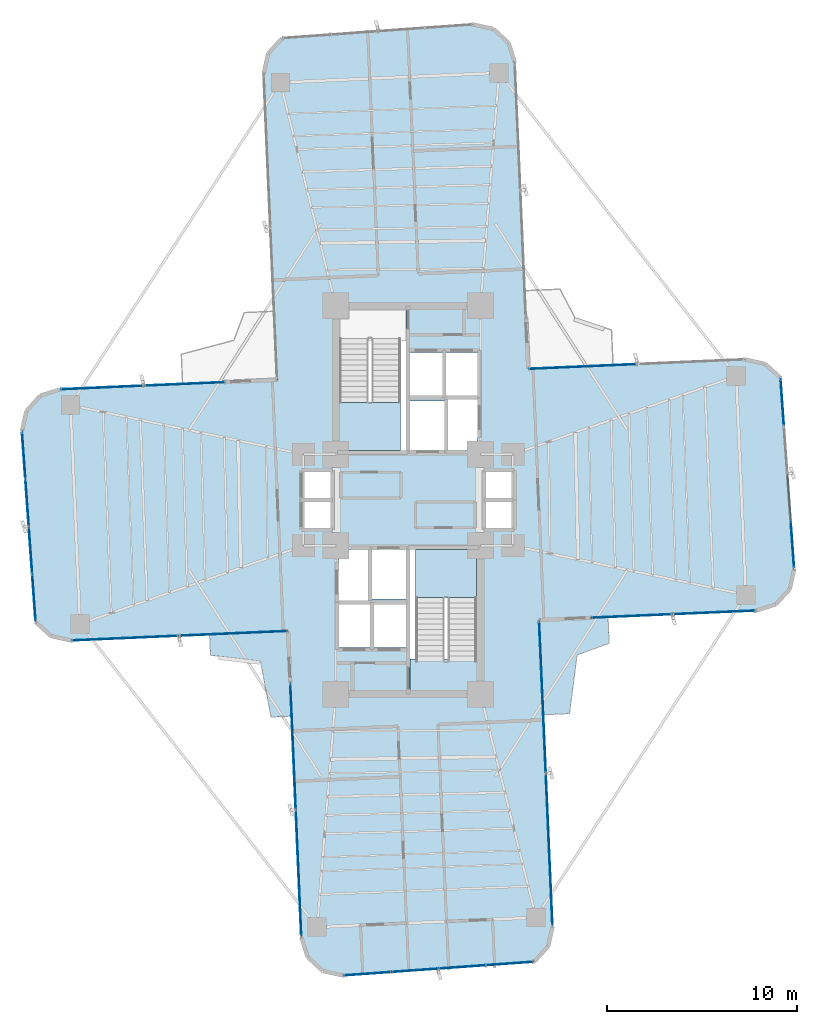
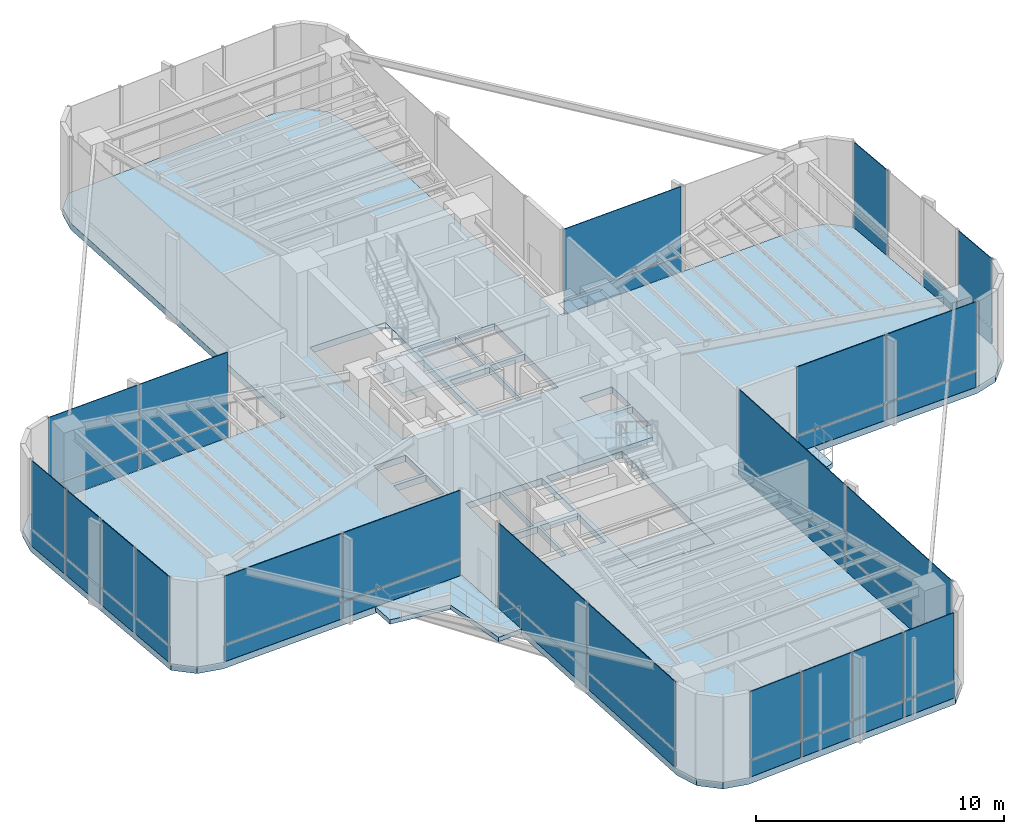
# One storey, part 15 of 21: 43 plates, 6 slabs, 11 elements without a shape of their own.
"""IFC4 building model written with IfcOpenShell, lengths in metres."""

from ifc_helpers import new_model, si_unit, direction, frame, origin, origin_2d, place, context, subcontext, project, spatial, polyline, rectangle, outline, extrude, source, transform, mapped, material, layer, layer_set, type_object, element, aggregate, save


model = new_model("IFC4")

# Units and contexts
model_context = context("Model", 3, precision=1e-05, world=origin(), true_north=direction((0.0, 1.0)))
body_context = subcontext(model_context, "Body", "Model", "MODEL_VIEW")
ifc_project = project(units=[si_unit("LENGTHUNIT", "METRE"), si_unit("AREAUNIT", "SQUARE_METRE"), si_unit("VOLUMEUNIT", "CUBIC_METRE"), si_unit("PLANEANGLEUNIT", "RADIAN"), si_unit("MASSUNIT", "GRAM", prefix="KILO")], contexts=[model_context])

# Site, building, storey
site_placement = place(None, origin())
site = spatial("IfcSite", under=ifc_project, at=site_placement, CompositionType="ELEMENT")
building_placement = place(site_placement, origin())
building = spatial("IfcBuilding", under=site, at=building_placement, Name="Sahyath Konkavel Grand Hotel", CompositionType="ELEMENT")
storey_placement = place(building_placement, frame((0.0, 0.0, 79.0)))
storey = spatial("IfcBuildingStorey", under=building, at=storey_placement, Name="L21", CompositionType="ELEMENT", Elevation=79.0)

# Slabs
ifc_material_1 = material(Name="Concrete C50/60", Category="concrete")
ifc_layer_1 = layer(ifc_material_1, 0.320068359375)
ifc_layer_set_1 = layer_set([ifc_layer_1], Name="Concrete C50/60")
slab_type_1 = type_object("IfcSlabType", Name="SLB-320", PredefinedType="FLOOR", material=ifc_layer_set_1)
slab_1_placement = place(storey_placement, frame((0.0, 0.0, -0.320068359375)))
element("IfcSlab", 1, at=slab_1_placement, inside=storey, type_object=slab_type_1, Name="L21 Structural Floor Slab", PredefinedType="FLOOR", context=body_context, shape_type="SweptSolid", body=[
    extrude(outline(polyline([(6.881591796875, -6.305908203125), (18.270751953125, -5.80859375), (19.3076171875, -5.481689453125), (20.0419921875, -4.68017578125), (20.277099609375, -3.618896484375), (19.5576171875, 6.4091796875), (18.75634765625, 7.1435546875), (17.695068359375, 7.37890625), (6.305908203125, 6.881591796875), (5.603515625, 22.96630859375), (5.276611328125, 24.0029296875), (4.47509765625, 24.7373046875), (3.4140625, 24.97265625), (-6.6142578125, 24.253173828125), (-7.3486328125, 23.451904296875), (-7.583984375, 22.390380859375), (-6.881591796875, 6.305908203125), (-18.270751953125, 5.80859375), (-19.3076171875, 5.481689453125), (-20.0419921875, 4.68017578125), (-20.277099609375, 3.618896484375), (-19.5576171875, -6.4091796875), (-18.75634765625, -7.1435546875), (-17.695068359375, -7.37890625), (-6.305908203125, -6.881591796875), (-5.603515625, -22.96630859375), (-5.276611328125, -24.0029296875), (-4.47509765625, -24.7373046875), (-3.4140625, -24.97265625), (6.6142578125, -24.253173828125), (7.3486328125, -23.451904296875), (7.583984375, -22.390380859375), (6.881591796875, -6.305908203125)]), holes=[polyline([(-3.6201171875, 2.580078125), (-0.10009765625, 2.580078125), (-0.10009765625, 10.02001953125), (-3.6201171875, 10.02001953125), (-3.6201171875, 2.580078125)]), polyline([(0.10009765625, -10.02001953125), (3.6201171875, -10.02001953125), (3.6201171875, -2.580078125), (0.10009765625, -2.580078125), (0.10009765625, -10.02001953125)]), polyline([(0.10009765625, 2.60009765625), (1.949951171875, 2.60009765625), (1.949951171875, 5.199951171875), (0.10009765625, 5.199951171875), (0.10009765625, 2.60009765625)]), polyline([(-1.949951171875, -5.199951171875), (-0.10009765625, -5.199951171875), (-0.10009765625, -2.60009765625), (-1.949951171875, -2.60009765625), (-1.949951171875, -5.199951171875)]), polyline([(2.050048828125, 2.60009765625), (3.64990234375, 2.60009765625), (3.64990234375, 5.300048828125), (2.050048828125, 5.300048828125), (2.050048828125, 2.60009765625)]), polyline([(-3.64990234375, -5.300048828125), (-2.050048828125, -5.300048828125), (-2.050048828125, -2.60009765625), (-3.64990234375, -2.60009765625), (-3.64990234375, -5.300048828125)]), polyline([(0.10009765625, 5.449951171875), (1.85009765625, 5.449951171875), (1.85009765625, 7.75), (0.10009765625, 7.75), (0.10009765625, 5.449951171875)]), polyline([(1.949951171875, 5.449951171875), (3.64990234375, 5.449951171875), (3.64990234375, 7.75), (1.949951171875, 7.75), (1.949951171875, 5.449951171875)]), polyline([(-3.64990234375, -7.75), (-1.949951171875, -7.75), (-1.949951171875, -5.449951171875), (-3.64990234375, -5.449951171875), (-3.64990234375, -7.75)]), polyline([(-1.85009765625, -7.75), (-0.10009765625, -7.75), (-0.10009765625, -5.449951171875), (-1.85009765625, -5.449951171875), (-1.85009765625, -7.75)]), polyline([(4.050048828125, 0.080078125), (5.550048828125, 0.080078125), (5.550048828125, 1.5400390625), (4.050048828125, 1.5400390625), (4.050048828125, 0.080078125)]), polyline([(4.050048828125, -1.5400390625), (5.550048828125, -1.5400390625), (5.550048828125, -0.080078125), (4.050048828125, -0.080078125), (4.050048828125, -1.5400390625)]), polyline([(-5.550048828125, 0.080078125), (-4.050048828125, 0.080078125), (-4.050048828125, 1.5400390625), (-5.550048828125, 1.5400390625), (-5.550048828125, 0.080078125)]), polyline([(-5.550048828125, -1.5400390625), (-4.050048828125, -1.5400390625), (-4.050048828125, -0.080078125), (-5.550048828125, -0.080078125), (-5.550048828125, -1.5400390625)])]), origin(), (0.0, 0.0, 1.0), 0.320068359375),
])
ifc_material_2 = material(Name="Concrete C40/50", Category="concrete")
ifc_layer_2 = layer(ifc_material_2, 0.219970703125)
ifc_layer_set_2 = layer_set([ifc_layer_2], Name="Concrete C40/50")
slab_type_2 = type_object("IfcSlabType", Name="SLB-BALCONY-220", PredefinedType="FLOOR", material=ifc_layer_set_2)
slab_2_placement = place(storey_placement, frame((0.0, 0.0, -0.219970703125)))
element("IfcSlab", 2, at=slab_2_placement, inside=storey, type_object=slab_type_2, Name="L21 Winter-Garden Balcony SW", PredefinedType="FLOOR", context=body_context, shape_type="SweptSolid", body=[
    extrude(outline(polyline([(-6.305908203125, -6.881591796875), (-10.427978515625, -7.0615234375), (-10.38037109375, -8.15283203125), (-7.755126953125, -8.46337890625), (-7.201904296875, -11.39892578125), (-6.110595703125, -11.351318359375), (-6.305908203125, -6.881591796875)])), origin(), (0.0, 0.0, 1.0), 0.219970703125),
])
slab_3_placement = place(storey_placement, frame((0.0, 0.0, -0.219970703125)))
element("IfcSlab", 3, at=slab_3_placement, inside=storey, type_object=slab_type_2, Name="L21 Winter-Garden Balcony SE", PredefinedType="FLOOR", context=body_context, shape_type="SweptSolid", body=[
    extrude(outline(polyline([(6.881591796875, -6.305908203125), (7.0986328125, -11.279052734375), (8.474853515625, -11.218994140625), (8.876220703125, -8.133544921875), (10.560302734375, -7.52392578125), (10.500244140625, -6.147705078125), (6.881591796875, -6.305908203125)])), origin(), (0.0, 0.0, 1.0), 0.219970703125),
])

# Stair, slab
stair_type = type_object("IfcStairType", Name="STR-ST16-450", PredefinedType="HALF_TURN_STAIR", material=ifc_material_2)
stair_1_placement = place(storey_placement, origin())
stair_1 = element("IfcStair", 4, at=stair_1_placement, inside=storey, type_object=stair_type, Name="L21 North Core Smokeproof Exit Stair ST-1", PredefinedType="HALF_TURN_STAIR")
ifc_layer_3 = layer(ifc_material_2, 0.199951171875)
ifc_layer_set_3 = layer_set([ifc_layer_3], Name="Concrete C40/50")
slab_type_3 = type_object("IfcSlabType", Name="SLB-STAIR-LND", PredefinedType="LANDING", material=ifc_layer_set_3)
slab_4_placement = place(storey_placement, frame((0.0, 0.0, 2.050048828125)))
slab_4 = element("IfcSlab", 5, at=slab_4_placement, type_object=slab_type_3, Name="ST-1 landing 1", PredefinedType="LANDING", context=body_context, shape_type="SweptSolid", body=[
    extrude(outline(polyline([(-3.60009765625, 5.1201171875), (-3.60009765625, 2.60009765625), (-0.39990234375, 2.60009765625), (-0.39990234375, 5.1201171875), (-3.60009765625, 5.1201171875)])), origin(), (0.0, 0.0, 1.0), 0.199951171875),
])
aggregate(stair_1, [slab_4])

stair_2_placement = place(storey_placement, origin())
stair_2 = element("IfcStair", 6, at=stair_2_placement, inside=storey, type_object=stair_type, Name="L21 South Core Smokeproof Exit Stair ST-2", PredefinedType="HALF_TURN_STAIR")
slab_5_placement = place(storey_placement, frame((0.0, 0.0, 2.050048828125)))
slab_5 = element("IfcSlab", 7, at=slab_5_placement, type_object=slab_type_3, Name="ST-2 landing 1", PredefinedType="LANDING", context=body_context, shape_type="SweptSolid", body=[
    extrude(outline(polyline([(3.60009765625, -5.1201171875), (3.60009765625, -2.60009765625), (0.39990234375, -2.60009765625), (0.39990234375, -5.1201171875), (3.60009765625, -5.1201171875)])), origin(), (0.0, 0.0, 1.0), 0.199951171875),
])
aggregate(stair_2, [slab_5])

# Slab
slab_6_placement = place(storey_placement, frame((0.0, 0.0, -0.199951171875)))
element("IfcSlab", 8, at=slab_6_placement, inside=storey, type_object=slab_type_3, Name="L21 Stair ST-2 Floor Landing Slab", PredefinedType="LANDING", context=body_context, shape_type="SweptSolid", body=[
    extrude(outline(polyline([(0.10009765625, -10.02001953125), (3.6201171875, -10.02001953125), (3.6201171875, -8.35009765625), (0.10009765625, -8.35009765625), (0.10009765625, -10.02001953125)])), origin(), (0.0, 0.0, 1.0), 0.199951171875),
])

# Curtain wall, plates
ifc_material_3 = material(Name="Anodised Bronze Aluminium & Low-E Glazing", Category="aluminium")
curtain_wall_type = type_object("IfcCurtainWallType", Name="CW-SKYLOBBY", PredefinedType="NOTDEFINED", material=ifc_material_3)
curtain_wall_1_placement = place(storey_placement, origin())
curtain_wall_1 = element("IfcCurtainWall", 9, at=curtain_wall_1_placement, inside=storey, type_object=curtain_wall_type, Name="L21 Unitised Curtain Wall F0", PredefinedType="NOTDEFINED")
ifc_material_4 = material(Name="Warm Buff Sandstone Cladding", Category="masonry")
ifc_layer_4 = layer(ifc_material_4, 0.074951171875)
ifc_layer_set_4 = layer_set([ifc_layer_4], Name="Warm Buff Sandstone Cladding")
plate_type_1 = type_object("IfcPlateType", Name="PNL-SPANDREL-STONE", PredefinedType="SHEET", material=ifc_layer_set_4)
shared_shape_1 = source(origin(), body_context, "Body", "SweptSolid", [
    extrude(rectangle(XDim=4.22998046875, YDim=0.074951171875, at=origin_2d()), origin(), (0.0, 0.0, 1.0), 0.77001953125),
])
plate_1_placement = place(storey_placement, frame((11.77197265625, -6.09228515625, 0.0400390625), z_axis=(0.0, 0.0, 1.0), x_axis=(0.999048982732, 0.043601950678, 0.0)))
plate_1 = element("IfcPlate", 10, at=plate_1_placement, type_object=plate_type_1, Name="L21 Sandstone Relief Spandrel Panel F0-0", PredefinedType="SHEET", context=body_context, shape_type="MappedRepresentation", body=[
    mapped(shared_shape_1, transform((0.0, 0.0, 0.0), scale=1.0)),
])
plate_2_placement = place(storey_placement, frame((16.077880859375, -5.904296875, 0.0400390625), z_axis=(0.0, 0.0, 1.0), x_axis=(0.999048982732, 0.043601950678, 0.0)))
plate_2 = element("IfcPlate", 11, at=plate_2_placement, type_object=plate_type_1, Name="L21 Sandstone Relief Spandrel Panel F0-1", PredefinedType="SHEET", context=body_context, shape_type="MappedRepresentation", body=[
    mapped(shared_shape_1, transform((0.0, 0.0, 0.0), scale=1.0)),
])

curtain_wall_2_placement = place(storey_placement, origin())
curtain_wall_2 = element("IfcCurtainWall", 12, at=curtain_wall_2_placement, inside=storey, type_object=curtain_wall_type, Name="L21 Unitised Curtain Wall F16", PredefinedType="NOTDEFINED")
plate_3_placement = place(storey_placement, frame((-11.77197265625, 6.09228515625, 0.0400390625), z_axis=(0.0, 0.0, 1.0), x_axis=(-0.999048982732, -0.043601950678, 0.0)))
plate_3 = element("IfcPlate", 13, at=plate_3_placement, type_object=plate_type_1, Name="L21 Sandstone Relief Spandrel Panel F16-0", PredefinedType="SHEET", context=body_context, shape_type="MappedRepresentation", body=[
    mapped(shared_shape_1, transform((0.0, 0.0, 0.0), scale=1.0)),
])
plate_4_placement = place(storey_placement, frame((-16.077880859375, 5.904296875, 0.0400390625), z_axis=(0.0, 0.0, 1.0), x_axis=(-0.999048982732, -0.043601950678, 0.0)))
plate_4 = element("IfcPlate", 14, at=plate_4_placement, type_object=plate_type_1, Name="L21 Sandstone Relief Spandrel Panel F16-1", PredefinedType="SHEET", context=body_context, shape_type="MappedRepresentation", body=[
    mapped(shared_shape_1, transform((0.0, 0.0, 0.0), scale=1.0)),
])

# Plate
ifc_material_5 = material(Name="Low-E Solar Control Double Glazing", Category="glass")
ifc_layer_5 = layer(ifc_material_5, 0.035888671875)
ifc_layer_set_5 = layer_set([ifc_layer_5], Name="Low-E Solar Control Double Glazing")
plate_type_2 = type_object("IfcPlateType", Name="PNL-VISION-LOWE", PredefinedType="CURTAIN_PANEL", material=ifc_layer_set_5)
shared_shape_2 = source(origin(), body_context, "Body", "SweptSolid", [
    extrude(rectangle(XDim=4.22998046875, YDim=0.035888671875, at=origin_2d()), origin(), (0.0, 0.0, 1.0), 3.330078125),
])
plate_5_placement = place(storey_placement, frame((11.77197265625, -6.09228515625, 0.889892578125), z_axis=(0.0, 0.0, 1.0), x_axis=(0.999048982732, 0.043601950678, 0.0)))
plate_5 = element("IfcPlate", 15, at=plate_5_placement, type_object=plate_type_2, Name="L21 Low-E Vision Glazing Panel F0-0", PredefinedType="CURTAIN_PANEL", context=body_context, shape_type="MappedRepresentation", body=[
    mapped(shared_shape_2, transform((0.0, 0.0, 0.0), scale=1.0)),
])

plate_6_placement = place(storey_placement, frame((16.077880859375, -5.904296875, 0.889892578125), z_axis=(0.0, 0.0, 1.0), x_axis=(0.999048982732, 0.043601950678, 0.0)))
plate_6 = element("IfcPlate", 16, at=plate_6_placement, type_object=plate_type_2, Name="L21 Low-E Vision Glazing Panel F0-1", PredefinedType="CURTAIN_PANEL", context=body_context, shape_type="MappedRepresentation", body=[
    mapped(shared_shape_2, transform((0.0, 0.0, 0.0), scale=1.0)),
])

aggregate(curtain_wall_1, [plate_1, plate_5, plate_2, plate_6])

plate_7_placement = place(storey_placement, frame((-11.77197265625, 6.09228515625, 0.889892578125), z_axis=(0.0, 0.0, 1.0), x_axis=(-0.999048982732, -0.043601950678, 0.0)))
plate_7 = element("IfcPlate", 17, at=plate_7_placement, type_object=plate_type_2, Name="L21 Low-E Vision Glazing Panel F16-0", PredefinedType="CURTAIN_PANEL", context=body_context, shape_type="MappedRepresentation", body=[
    mapped(shared_shape_2, transform((0.0, 0.0, 0.0), scale=1.0)),
])

plate_8_placement = place(storey_placement, frame((-16.077880859375, 5.904296875, 0.889892578125), z_axis=(0.0, 0.0, 1.0), x_axis=(-0.999048982732, -0.043601950678, 0.0)))
plate_8 = element("IfcPlate", 18, at=plate_8_placement, type_object=plate_type_2, Name="L21 Low-E Vision Glazing Panel F16-1", PredefinedType="CURTAIN_PANEL", context=body_context, shape_type="MappedRepresentation", body=[
    mapped(shared_shape_2, transform((0.0, 0.0, 0.0), scale=1.0)),
])

aggregate(curtain_wall_2, [plate_3, plate_7, plate_4, plate_8])

# Curtain wall, plates
curtain_wall_3_placement = place(storey_placement, origin())
curtain_wall_3 = element("IfcCurtainWall", 19, at=curtain_wall_3_placement, inside=storey, type_object=curtain_wall_type, Name="L21 Unitised Curtain Wall F4", PredefinedType="NOTDEFINED")
shared_shape_3 = source(origin(), body_context, "Body", "SweptSolid", [
    extrude(rectangle(XDim=2.41357421875, YDim=0.074951171875, at=origin_2d()), origin(), (0.0, 0.0, 1.0), 0.77001953125),
])
plate_9_placement = place(storey_placement, frame((20.18505859375, -2.335693359375, 0.0400390625), z_axis=(0.0, 0.0, 1.0), x_axis=(-0.071567078661, 0.997435789037, 0.0)))
plate_9 = element("IfcPlate", 20, at=plate_9_placement, type_object=plate_type_1, Name="L21 Sandstone Relief Spandrel Panel F4-0", PredefinedType="SHEET", context=body_context, shape_type="MappedRepresentation", body=[
    mapped(shared_shape_3, transform((0.0, 0.0, 0.0), scale=1.0)),
])
plate_10_placement = place(storey_placement, frame((20.006591796875, 0.151611328125, 0.0400390625), z_axis=(0.0, 0.0, 1.0), x_axis=(-0.071567078661, 0.997435789037, 0.0)))
plate_10 = element("IfcPlate", 21, at=plate_10_placement, type_object=plate_type_1, Name="L21 Sandstone Relief Spandrel Panel F4-1", PredefinedType="SHEET", context=body_context, shape_type="MappedRepresentation", body=[
    mapped(shared_shape_3, transform((0.0, 0.0, 0.0), scale=1.0)),
])
plate_11_placement = place(storey_placement, frame((19.64990234375, 5.125732421875, 0.0400390625), z_axis=(0.0, 0.0, 1.0), x_axis=(-0.071567078661, 0.997435789037, 0.0)))
plate_11 = element("IfcPlate", 22, at=plate_11_placement, type_object=plate_type_1, Name="L21 Sandstone Relief Spandrel Panel F4-3", PredefinedType="SHEET", context=body_context, shape_type="MappedRepresentation", body=[
    mapped(shared_shape_3, transform((0.0, 0.0, 0.0), scale=1.0)),
])

curtain_wall_4_placement = place(storey_placement, origin())
curtain_wall_4 = element("IfcCurtainWall", 23, at=curtain_wall_4_placement, inside=storey, type_object=curtain_wall_type, Name="L21 Unitised Curtain Wall F20", PredefinedType="NOTDEFINED")
plate_12_placement = place(storey_placement, frame((-20.18505859375, 2.335693359375, 0.0400390625), z_axis=(0.0, 0.0, 1.0), x_axis=(0.071567078661, -0.997435789037, 0.0)))
plate_12 = element("IfcPlate", 24, at=plate_12_placement, type_object=plate_type_1, Name="L21 Sandstone Relief Spandrel Panel F20-0", PredefinedType="SHEET", context=body_context, shape_type="MappedRepresentation", body=[
    mapped(shared_shape_3, transform((0.0, 0.0, 0.0), scale=1.0)),
])
plate_13_placement = place(storey_placement, frame((-20.006591796875, -0.151611328125, 0.0400390625), z_axis=(0.0, 0.0, 1.0), x_axis=(0.071567078661, -0.997435789037, 0.0)))
plate_13 = element("IfcPlate", 25, at=plate_13_placement, type_object=plate_type_1, Name="L21 Sandstone Relief Spandrel Panel F20-1", PredefinedType="SHEET", context=body_context, shape_type="MappedRepresentation", body=[
    mapped(shared_shape_3, transform((0.0, 0.0, 0.0), scale=1.0)),
])
plate_14_placement = place(storey_placement, frame((-19.828369140625, -2.638671875, 0.0400390625), z_axis=(0.0, 0.0, 1.0), x_axis=(0.071567078661, -0.997435789037, 0.0)))
plate_14 = element("IfcPlate", 26, at=plate_14_placement, type_object=plate_type_1, Name="L21 Sandstone Relief Spandrel Panel F20-2", PredefinedType="SHEET", context=body_context, shape_type="MappedRepresentation", body=[
    mapped(shared_shape_3, transform((0.0, 0.0, 0.0), scale=1.0)),
])
plate_15_placement = place(storey_placement, frame((-19.64990234375, -5.125732421875, 0.0400390625), z_axis=(0.0, 0.0, 1.0), x_axis=(0.071567078661, -0.997435789037, 0.0)))
plate_15 = element("IfcPlate", 27, at=plate_15_placement, type_object=plate_type_1, Name="L21 Sandstone Relief Spandrel Panel F20-3", PredefinedType="SHEET", context=body_context, shape_type="MappedRepresentation", body=[
    mapped(shared_shape_3, transform((0.0, 0.0, 0.0), scale=1.0)),
])

curtain_wall_5_placement = place(storey_placement, origin())
curtain_wall_5 = element("IfcCurtainWall", 28, at=curtain_wall_5_placement, inside=storey, type_object=curtain_wall_type, Name="L21 Unitised Curtain Wall F28", PredefinedType="NOTDEFINED")
plate_16_placement = place(storey_placement, frame((-2.130615234375, -24.880615234375, 0.0400390625), z_axis=(0.0, 0.0, 1.0), x_axis=(0.997435789037, 0.071567078661, 0.0)))
plate_16 = element("IfcPlate", 29, at=plate_16_placement, type_object=plate_type_1, Name="L21 Sandstone Relief Spandrel Panel F28-0", PredefinedType="SHEET", context=body_context, shape_type="MappedRepresentation", body=[
    mapped(shared_shape_3, transform((0.0, 0.0, 0.0), scale=1.0)),
])
plate_17_placement = place(storey_placement, frame((0.356689453125, -24.7021484375, 0.0400390625), z_axis=(0.0, 0.0, 1.0), x_axis=(0.997435789037, 0.071567078661, 0.0)))
plate_17 = element("IfcPlate", 30, at=plate_17_placement, type_object=plate_type_1, Name="L21 Sandstone Relief Spandrel Panel F28-1", PredefinedType="SHEET", context=body_context, shape_type="MappedRepresentation", body=[
    mapped(shared_shape_3, transform((0.0, 0.0, 0.0), scale=1.0)),
])
plate_18_placement = place(storey_placement, frame((2.84375, -24.523681640625, 0.0400390625), z_axis=(0.0, 0.0, 1.0), x_axis=(0.997435789037, 0.071567078661, 0.0)))
plate_18 = element("IfcPlate", 31, at=plate_18_placement, type_object=plate_type_1, Name="L21 Sandstone Relief Spandrel Panel F28-2", PredefinedType="SHEET", context=body_context, shape_type="MappedRepresentation", body=[
    mapped(shared_shape_3, transform((0.0, 0.0, 0.0), scale=1.0)),
])
plate_19_placement = place(storey_placement, frame((5.330810546875, -24.34521484375, 0.0400390625), z_axis=(0.0, 0.0, 1.0), x_axis=(0.997435789037, 0.071567078661, 0.0)))
plate_19 = element("IfcPlate", 32, at=plate_19_placement, type_object=plate_type_1, Name="L21 Sandstone Relief Spandrel Panel F28-3", PredefinedType="SHEET", context=body_context, shape_type="MappedRepresentation", body=[
    mapped(shared_shape_3, transform((0.0, 0.0, 0.0), scale=1.0)),
])

# Plate
shared_shape_4 = source(origin(), body_context, "Body", "SweptSolid", [
    extrude(rectangle(XDim=2.41357421875, YDim=0.035888671875, at=origin_2d()), origin(), (0.0, 0.0, 1.0), 3.330078125),
])
plate_20_placement = place(storey_placement, frame((20.18505859375, -2.335693359375, 0.889892578125), z_axis=(0.0, 0.0, 1.0), x_axis=(-0.071567078661, 0.997435789037, 0.0)))
plate_20 = element("IfcPlate", 33, at=plate_20_placement, type_object=plate_type_2, Name="L21 Low-E Vision Glazing Panel F4-0", PredefinedType="CURTAIN_PANEL", context=body_context, shape_type="MappedRepresentation", body=[
    mapped(shared_shape_4, transform((0.0, 0.0, 0.0), scale=1.0)),
])

plate_21_placement = place(storey_placement, frame((19.64990234375, 5.125732421875, 0.889892578125), z_axis=(0.0, 0.0, 1.0), x_axis=(-0.071567078661, 0.997435789037, 0.0)))
plate_21 = element("IfcPlate", 34, at=plate_21_placement, type_object=plate_type_2, Name="L21 Low-E Vision Glazing Panel F4-3", PredefinedType="CURTAIN_PANEL", context=body_context, shape_type="MappedRepresentation", body=[
    mapped(shared_shape_4, transform((0.0, 0.0, 0.0), scale=1.0)),
])

aggregate(curtain_wall_3, [plate_9, plate_20, plate_10, plate_11, plate_21])

plate_22_placement = place(storey_placement, frame((-20.18505859375, 2.335693359375, 0.889892578125), z_axis=(0.0, 0.0, 1.0), x_axis=(0.071567078661, -0.997435789037, 0.0)))
plate_22 = element("IfcPlate", 35, at=plate_22_placement, type_object=plate_type_2, Name="L21 Low-E Vision Glazing Panel F20-0", PredefinedType="CURTAIN_PANEL", context=body_context, shape_type="MappedRepresentation", body=[
    mapped(shared_shape_4, transform((0.0, 0.0, 0.0), scale=1.0)),
])

plate_23_placement = place(storey_placement, frame((-20.006591796875, -0.151611328125, 0.889892578125), z_axis=(0.0, 0.0, 1.0), x_axis=(0.071567078661, -0.997435789037, 0.0)))
plate_23 = element("IfcPlate", 36, at=plate_23_placement, type_object=plate_type_2, Name="L21 Low-E Vision Glazing Panel F20-1", PredefinedType="CURTAIN_PANEL", context=body_context, shape_type="MappedRepresentation", body=[
    mapped(shared_shape_4, transform((0.0, 0.0, 0.0), scale=1.0)),
])

plate_24_placement = place(storey_placement, frame((-19.828369140625, -2.638671875, 0.889892578125), z_axis=(0.0, 0.0, 1.0), x_axis=(0.071567078661, -0.997435789037, 0.0)))
plate_24 = element("IfcPlate", 37, at=plate_24_placement, type_object=plate_type_2, Name="L21 Low-E Vision Glazing Panel F20-2", PredefinedType="CURTAIN_PANEL", context=body_context, shape_type="MappedRepresentation", body=[
    mapped(shared_shape_4, transform((0.0, 0.0, 0.0), scale=1.0)),
])

plate_25_placement = place(storey_placement, frame((-19.64990234375, -5.125732421875, 0.889892578125), z_axis=(0.0, 0.0, 1.0), x_axis=(0.071567078661, -0.997435789037, 0.0)))
plate_25 = element("IfcPlate", 38, at=plate_25_placement, type_object=plate_type_2, Name="L21 Low-E Vision Glazing Panel F20-3", PredefinedType="CURTAIN_PANEL", context=body_context, shape_type="MappedRepresentation", body=[
    mapped(shared_shape_4, transform((0.0, 0.0, 0.0), scale=1.0)),
])

aggregate(curtain_wall_4, [plate_12, plate_22, plate_13, plate_23, plate_14, plate_24, plate_15, plate_25])

plate_26_placement = place(storey_placement, frame((-2.130615234375, -24.880615234375, 0.889892578125), z_axis=(0.0, 0.0, 1.0), x_axis=(0.997435789037, 0.071567078661, 0.0)))
plate_26 = element("IfcPlate", 39, at=plate_26_placement, type_object=plate_type_2, Name="L21 Low-E Vision Glazing Panel F28-0", PredefinedType="CURTAIN_PANEL", context=body_context, shape_type="MappedRepresentation", body=[
    mapped(shared_shape_4, transform((0.0, 0.0, 0.0), scale=1.0)),
])

plate_27_placement = place(storey_placement, frame((0.356689453125, -24.7021484375, 0.889892578125), z_axis=(0.0, 0.0, 1.0), x_axis=(0.997435789037, 0.071567078661, 0.0)))
plate_27 = element("IfcPlate", 40, at=plate_27_placement, type_object=plate_type_2, Name="L21 Low-E Vision Glazing Panel F28-1", PredefinedType="CURTAIN_PANEL", context=body_context, shape_type="MappedRepresentation", body=[
    mapped(shared_shape_4, transform((0.0, 0.0, 0.0), scale=1.0)),
])

plate_28_placement = place(storey_placement, frame((2.84375, -24.523681640625, 0.889892578125), z_axis=(0.0, 0.0, 1.0), x_axis=(0.997435789037, 0.071567078661, 0.0)))
plate_28 = element("IfcPlate", 41, at=plate_28_placement, type_object=plate_type_2, Name="L21 Low-E Vision Glazing Panel F28-2", PredefinedType="CURTAIN_PANEL", context=body_context, shape_type="MappedRepresentation", body=[
    mapped(shared_shape_4, transform((0.0, 0.0, 0.0), scale=1.0)),
])

plate_29_placement = place(storey_placement, frame((5.330810546875, -24.34521484375, 0.889892578125), z_axis=(0.0, 0.0, 1.0), x_axis=(0.997435789037, 0.071567078661, 0.0)))
plate_29 = element("IfcPlate", 42, at=plate_29_placement, type_object=plate_type_2, Name="L21 Low-E Vision Glazing Panel F28-3", PredefinedType="CURTAIN_PANEL", context=body_context, shape_type="MappedRepresentation", body=[
    mapped(shared_shape_4, transform((0.0, 0.0, 0.0), scale=1.0)),
])

aggregate(curtain_wall_5, [plate_16, plate_26, plate_17, plate_27, plate_18, plate_28, plate_19, plate_29])

# Curtain wall, plate
curtain_wall_6_placement = place(storey_placement, origin())
curtain_wall_6 = element("IfcCurtainWall", 43, at=curtain_wall_6_placement, inside=storey, type_object=curtain_wall_type, Name="L21 Unitised Curtain Wall F7", PredefinedType="NOTDEFINED")
shared_shape_5 = source(origin(), body_context, "Body", "SweptSolid", [
    extrude(rectangle(XDim=5.580078125, YDim=0.074951171875, at=origin_2d()), origin(), (0.0, 0.0, 1.0), 0.77001953125),
])
plate_30_placement = place(storey_placement, frame((9.173095703125, 7.0068359375, 0.0400390625), z_axis=(0.0, 0.0, 1.0), x_axis=(-0.999048221582, -0.043619387365, 0.0)))
plate_30 = element("IfcPlate", 44, at=plate_30_placement, type_object=plate_type_1, Name="L21 Sandstone Relief Spandrel Panel F7-1", PredefinedType="SHEET", context=body_context, shape_type="MappedRepresentation", body=[
    mapped(shared_shape_5, transform((0.0, 0.0, 0.0), scale=1.0)),
])

# Curtain wall, plates
curtain_wall_7_placement = place(storey_placement, origin())
curtain_wall_7 = element("IfcCurtainWall", 45, at=curtain_wall_7_placement, inside=storey, type_object=curtain_wall_type, Name="L21 Unitised Curtain Wall F23", PredefinedType="NOTDEFINED")
plate_31_placement = place(storey_placement, frame((-14.82763671875, -7.25390625, 0.0400390625), z_axis=(0.0, 0.0, 1.0), x_axis=(0.999048221582, 0.043619387365, 0.0)))
plate_31 = element("IfcPlate", 46, at=plate_31_placement, type_object=plate_type_1, Name="L21 Sandstone Relief Spandrel Panel F23-0", PredefinedType="SHEET", context=body_context, shape_type="MappedRepresentation", body=[
    mapped(shared_shape_5, transform((0.0, 0.0, 0.0), scale=1.0)),
])
plate_32_placement = place(storey_placement, frame((-9.173095703125, -7.0068359375, 0.0400390625), z_axis=(0.0, 0.0, 1.0), x_axis=(0.999048221582, 0.043619387365, 0.0)))
plate_32 = element("IfcPlate", 47, at=plate_32_placement, type_object=plate_type_1, Name="L21 Sandstone Relief Spandrel Panel F23-1", PredefinedType="SHEET", context=body_context, shape_type="MappedRepresentation", body=[
    mapped(shared_shape_5, transform((0.0, 0.0, 0.0), scale=1.0)),
])

# Plate
shared_shape_6 = source(origin(), body_context, "Body", "SweptSolid", [
    extrude(rectangle(XDim=5.580078125, YDim=0.035888671875, at=origin_2d()), origin(), (0.0, 0.0, 1.0), 3.330078125),
])
plate_33_placement = place(storey_placement, frame((9.173095703125, 7.0068359375, 0.889892578125), z_axis=(0.0, 0.0, 1.0), x_axis=(-0.999048221582, -0.043619387365, 0.0)))
plate_33 = element("IfcPlate", 48, at=plate_33_placement, type_object=plate_type_2, Name="L21 Low-E Vision Glazing Panel F7-1", PredefinedType="CURTAIN_PANEL", context=body_context, shape_type="MappedRepresentation", body=[
    mapped(shared_shape_6, transform((0.0, 0.0, 0.0), scale=1.0)),
])

aggregate(curtain_wall_6, [plate_30, plate_33])

plate_34_placement = place(storey_placement, frame((-14.82763671875, -7.25390625, 0.889892578125), z_axis=(0.0, 0.0, 1.0), x_axis=(0.999048221582, 0.043619387365, 0.0)))
plate_34 = element("IfcPlate", 49, at=plate_34_placement, type_object=plate_type_2, Name="L21 Low-E Vision Glazing Panel F23-0", PredefinedType="CURTAIN_PANEL", context=body_context, shape_type="MappedRepresentation", body=[
    mapped(shared_shape_6, transform((0.0, 0.0, 0.0), scale=1.0)),
])

plate_35_placement = place(storey_placement, frame((-9.173095703125, -7.0068359375, 0.889892578125), z_axis=(0.0, 0.0, 1.0), x_axis=(0.999048221582, 0.043619387365, 0.0)))
plate_35 = element("IfcPlate", 50, at=plate_35_placement, type_object=plate_type_2, Name="L21 Low-E Vision Glazing Panel F23-1", PredefinedType="CURTAIN_PANEL", context=body_context, shape_type="MappedRepresentation", body=[
    mapped(shared_shape_6, transform((0.0, 0.0, 0.0), scale=1.0)),
])

aggregate(curtain_wall_7, [plate_31, plate_34, plate_32, plate_35])

# Curtain wall, plates
curtain_wall_8_placement = place(storey_placement, origin())
curtain_wall_8 = element("IfcCurtainWall", 51, at=curtain_wall_8_placement, inside=storey, type_object=curtain_wall_type, Name="L21 Unitised Curtain Wall F24", PredefinedType="NOTDEFINED")
shared_shape_7 = source(origin(), body_context, "Body", "SweptSolid", [
    extrude(rectangle(XDim=6.580078125, YDim=0.074951171875, at=origin_2d()), origin(), (0.0, 0.0, 1.0), 0.77001953125),
])
plate_36_placement = place(storey_placement, frame((-6.041015625, -12.94580078125, 0.0400390625), z_axis=(0.0, 0.0, 1.0), x_axis=(0.043619387365, -0.999048221582, 0.0)))
plate_36 = element("IfcPlate", 52, at=plate_36_placement, type_object=plate_type_1, Name="L21 Sandstone Relief Spandrel Panel F24-0", PredefinedType="SHEET", context=body_context, shape_type="MappedRepresentation", body=[
    mapped(shared_shape_7, transform((0.0, 0.0, 0.0), scale=1.0)),
])
plate_37_placement = place(storey_placement, frame((-5.75048828125, -19.599609375, 0.0400390625), z_axis=(0.0, 0.0, 1.0), x_axis=(0.043619387365, -0.999048221582, 0.0)))
plate_37 = element("IfcPlate", 53, at=plate_37_placement, type_object=plate_type_1, Name="L21 Sandstone Relief Spandrel Panel F24-1", PredefinedType="SHEET", context=body_context, shape_type="MappedRepresentation", body=[
    mapped(shared_shape_7, transform((0.0, 0.0, 0.0), scale=1.0)),
])
shared_shape_8 = source(origin(), body_context, "Body", "SweptSolid", [
    extrude(rectangle(XDim=6.580078125, YDim=0.035888671875, at=origin_2d()), origin(), (0.0, 0.0, 1.0), 3.330078125),
])
plate_38_placement = place(storey_placement, frame((-6.041015625, -12.94580078125, 0.889892578125), z_axis=(0.0, 0.0, 1.0), x_axis=(0.043619387365, -0.999048221582, 0.0)))
plate_38 = element("IfcPlate", 54, at=plate_38_placement, type_object=plate_type_2, Name="L21 Low-E Vision Glazing Panel F24-0", PredefinedType="CURTAIN_PANEL", context=body_context, shape_type="MappedRepresentation", body=[
    mapped(shared_shape_8, transform((0.0, 0.0, 0.0), scale=1.0)),
])
plate_39_placement = place(storey_placement, frame((-5.75048828125, -19.599609375, 0.889892578125), z_axis=(0.0, 0.0, 1.0), x_axis=(0.043619387365, -0.999048221582, 0.0)))
plate_39 = element("IfcPlate", 55, at=plate_39_placement, type_object=plate_type_2, Name="L21 Low-E Vision Glazing Panel F24-1", PredefinedType="CURTAIN_PANEL", context=body_context, shape_type="MappedRepresentation", body=[
    mapped(shared_shape_8, transform((0.0, 0.0, 0.0), scale=1.0)),
])
aggregate(curtain_wall_8, [plate_36, plate_38, plate_37, plate_39])

curtain_wall_9_placement = place(storey_placement, origin())
curtain_wall_9 = element("IfcCurtainWall", 56, at=curtain_wall_9_placement, inside=storey, type_object=curtain_wall_type, Name="L21 Unitised Curtain Wall F31", PredefinedType="NOTDEFINED")
shared_shape_9 = source(origin(), body_context, "Body", "SweptSolid", [
    extrude(rectangle(XDim=7.929931640625, YDim=0.074951171875, at=origin_2d()), origin(), (0.0, 0.0, 1.0), 0.77001953125),
])
plate_40_placement = place(storey_placement, frame((7.407470703125, -18.349365234375, 0.0400390625), z_axis=(0.0, 0.0, 1.0), x_axis=(-0.043619387365, 0.999048221582, 0.0)))
plate_40 = element("IfcPlate", 57, at=plate_40_placement, type_object=plate_type_1, Name="L21 Sandstone Relief Spandrel Panel F31-0", PredefinedType="SHEET", context=body_context, shape_type="MappedRepresentation", body=[
    mapped(shared_shape_9, transform((0.0, 0.0, 0.0), scale=1.0)),
])
plate_41_placement = place(storey_placement, frame((7.05810546875, -10.346923828125, 0.0400390625), z_axis=(0.0, 0.0, 1.0), x_axis=(-0.043619387365, 0.999048221582, 0.0)))
plate_41 = element("IfcPlate", 58, at=plate_41_placement, type_object=plate_type_1, Name="L21 Sandstone Relief Spandrel Panel F31-1", PredefinedType="SHEET", context=body_context, shape_type="MappedRepresentation", body=[
    mapped(shared_shape_9, transform((0.0, 0.0, 0.0), scale=1.0)),
])
shared_shape_10 = source(origin(), body_context, "Body", "SweptSolid", [
    extrude(rectangle(XDim=7.929931640625, YDim=0.035888671875, at=origin_2d()), origin(), (0.0, 0.0, 1.0), 3.330078125),
])
plate_42_placement = place(storey_placement, frame((7.407470703125, -18.349365234375, 0.889892578125), z_axis=(0.0, 0.0, 1.0), x_axis=(-0.043619387365, 0.999048221582, 0.0)))
plate_42 = element("IfcPlate", 59, at=plate_42_placement, type_object=plate_type_2, Name="L21 Low-E Vision Glazing Panel F31-0", PredefinedType="CURTAIN_PANEL", context=body_context, shape_type="MappedRepresentation", body=[
    mapped(shared_shape_10, transform((0.0, 0.0, 0.0), scale=1.0)),
])
plate_43_placement = place(storey_placement, frame((7.05810546875, -10.346923828125, 0.889892578125), z_axis=(0.0, 0.0, 1.0), x_axis=(-0.043619387365, 0.999048221582, 0.0)))
plate_43 = element("IfcPlate", 60, at=plate_43_placement, type_object=plate_type_2, Name="L21 Low-E Vision Glazing Panel F31-1", PredefinedType="CURTAIN_PANEL", context=body_context, shape_type="MappedRepresentation", body=[
    mapped(shared_shape_10, transform((0.0, 0.0, 0.0), scale=1.0)),
])
aggregate(curtain_wall_9, [plate_40, plate_42, plate_41, plate_43])

save(model, "model.ifc")
